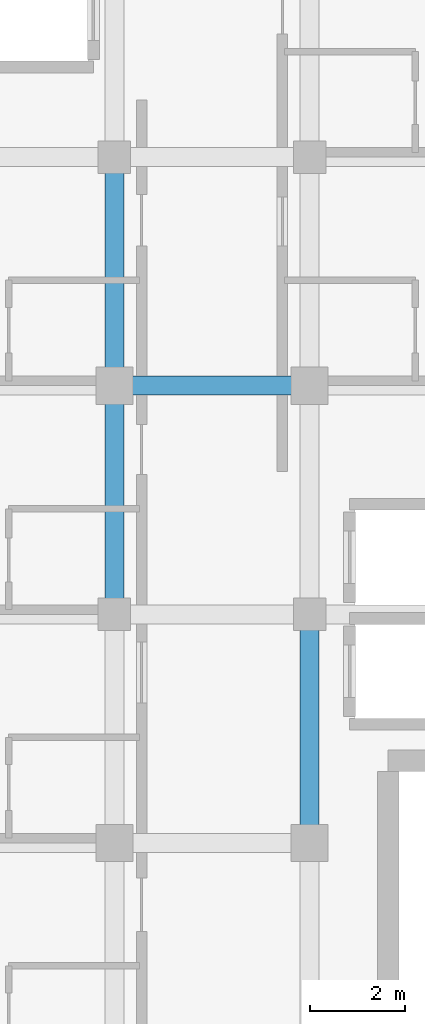
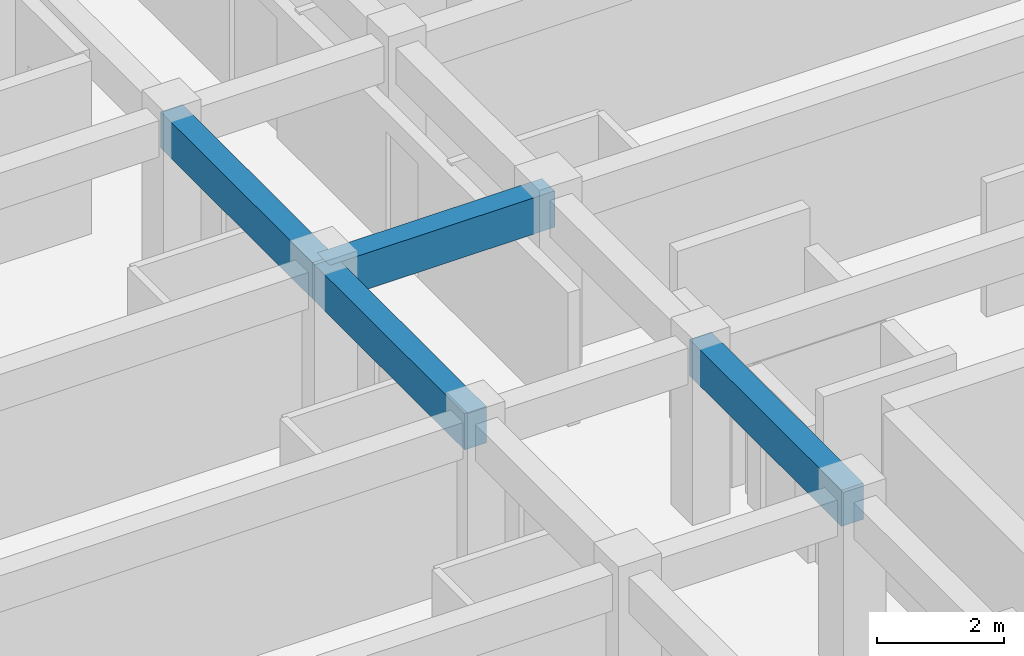
# One storey, part 21 of 68: 4 beams.
"""IFC4 building model written with IfcOpenShell, lengths in metres."""

from ifc_helpers import new_model, si_unit, direction, frame, origin, origin_2d, place, context, subcontext, project, spatial, rectangle, extrude, material, material_profile, profile_set, type_object, element, save


model = new_model("IFC4")

# Units and contexts
model_context = context("Model", 3, precision=1e-05, world=origin(), true_north=direction((0.0, 1.0)))
body_context = subcontext(model_context, "Body", "Model", "MODEL_VIEW")
ifc_project = project(units=[si_unit("LENGTHUNIT", "METRE"), si_unit("AREAUNIT", "SQUARE_METRE"), si_unit("VOLUMEUNIT", "CUBIC_METRE"), si_unit("PLANEANGLEUNIT", "RADIAN"), si_unit("MASSUNIT", "GRAM", prefix="KILO")], contexts=[model_context])

# Site, building, storey
site_placement = place(None, origin())
site = spatial("IfcSite", under=ifc_project, at=site_placement, CompositionType="ELEMENT")
building_placement = place(site_placement, origin())
building = spatial("IfcBuilding", under=site, at=building_placement, Name="Nakhvara Creek Congress Hotel", CompositionType="ELEMENT")
storey_placement = place(building_placement, frame((0.0, 0.0, 24.60009765625)))
storey = spatial("IfcBuildingStorey", under=building, at=storey_placement, Name="L05", CompositionType="ELEMENT", Elevation=24.60009765625)

# Beams
ifc_material = material(Name="Concrete C40/50", Category="concrete")
ifc_material_profile = material_profile(ifc_material, rectangle(XDim=0.39990234375, YDim=0.699951171875, at=origin_2d()), Name="RC-BM 400x700", Category="LoadBearing")
ifc_profile_set = profile_set([ifc_material_profile], Name="Concrete C40/50")
beam_type = type_object("IfcBeamType", Name="BM-RC-400X700", PredefinedType="BEAM", material=ifc_profile_set)
beam_1_placement = place(storey_placement, frame((162.35009765625, 67.199951171875, 2.989990234375), z_axis=(1.0, 0.0, 0.0), x_axis=(0.0, 1.0, 0.0)))
element("IfcBeam", 1, at=beam_1_placement, inside=storey, type_object=beam_type, Name="Beam B05-L05-2098", PredefinedType="BEAM", context=body_context, shape_type="SweptSolid", body=[
    extrude(rectangle(XDim=0.39990234375, YDim=0.699951171875, at=origin_2d()), origin(), (0.0, 0.0, 1.0), 4.099853515625),
])
for number, where, z_axis, x_axis, name in (
    (2, (162.35009765625, 62.39990234375, 2.989990234375), (0.0, 1.0, 0.0), (-1.0, 0.0, 0.0), "Beam B05-L05-2099"),
    (3, (162.35009765625, 67.199951171875, 2.989990234375), (0.0, 1.0, 0.0), (-1.0, 0.0, 0.0), "Beam B05-L05-2100"),
):
    element("IfcBeam", number, at=place(storey_placement, frame(where, z_axis=z_axis, x_axis=x_axis)), inside=storey, type_object=beam_type, Name=name, PredefinedType="BEAM", context=body_context, shape_type="SweptSolid", body=[
        extrude(rectangle(XDim=0.39990234375, YDim=0.699951171875, at=origin_2d()), origin(), (0.0, 0.0, 1.0), 4.800048828125),
    ])
beam_2_placement = place(storey_placement, frame((166.449951171875, 57.60009765625, 2.989990234375), z_axis=(0.0, 1.0, 0.0), x_axis=(-1.0, 0.0, 0.0)))
element("IfcBeam", 4, at=beam_2_placement, inside=storey, type_object=beam_type, Name="Beam B05-L05-2126", PredefinedType="BEAM", context=body_context, shape_type="SweptSolid", body=[
    extrude(rectangle(XDim=0.39990234375, YDim=0.699951171875, at=origin_2d()), origin(), (0.0, 0.0, 1.0), 4.7998046875),
])

save(model, "model.ifc")
